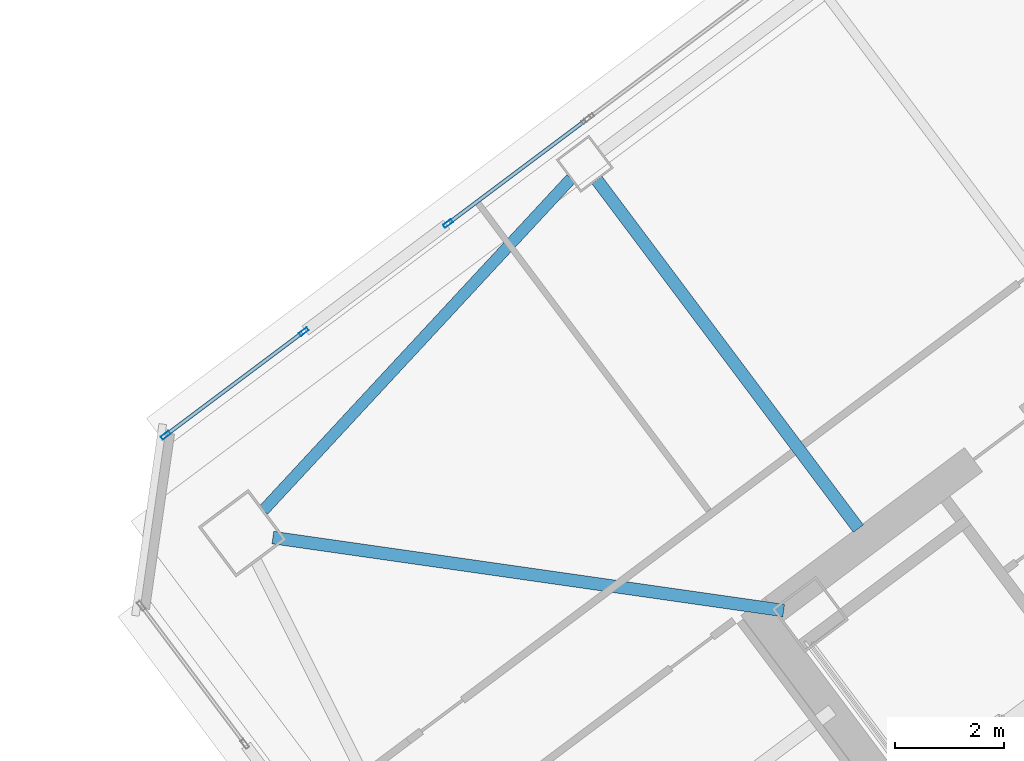
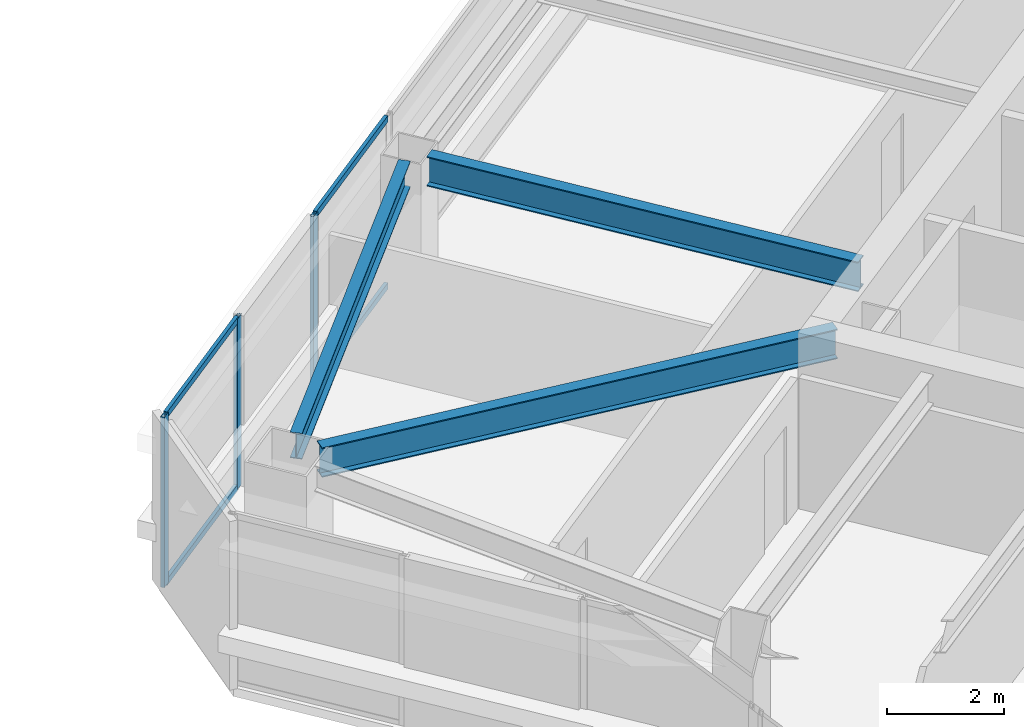
# One storey, part 23 of 46: 7 members, 3 beams, 2 elements without a shape of their own.
"""IFC4 building model written with IfcOpenShell, lengths in metres."""

from ifc_helpers import new_model, si_unit, direction, frame, origin, origin_2d, place, context, subcontext, project, spatial, hollow_rectangle, i_section, extrude, material, material_profile, profile_set, type_object, element, aggregate, save


model = new_model("IFC4")

# Units and contexts
model_context = context("Model", 3, precision=1e-05, world=origin(), true_north=direction((0.0, 1.0)))
body_context = subcontext(model_context, "Body", "Model", "MODEL_VIEW")
ifc_project = project(units=[si_unit("LENGTHUNIT", "METRE"), si_unit("AREAUNIT", "SQUARE_METRE"), si_unit("VOLUMEUNIT", "CUBIC_METRE"), si_unit("PLANEANGLEUNIT", "RADIAN"), si_unit("MASSUNIT", "GRAM", prefix="KILO")], contexts=[model_context])

# Site, building, storey
site_placement = place(None, origin())
site = spatial("IfcSite", under=ifc_project, at=site_placement, CompositionType="ELEMENT")
building_placement = place(site_placement, origin())
building = spatial("IfcBuilding", under=site, at=building_placement, Name="Tashvorn Skyway Center", CompositionType="ELEMENT")
storey_placement = place(building_placement, frame((0.0, 0.0, 167.64990234375)))
storey = spatial("IfcBuildingStorey", under=building, at=storey_placement, Name="L45", CompositionType="ELEMENT", Elevation=167.64990234375)

# Beams
ifc_material_1 = material(Name="Steel ASTM A992 Grade 50", Category="steel")
ifc_material_profile_1 = material_profile(ifc_material_1, i_section(OverallWidth=0.22998046875, OverallDepth=0.616943359375, WebThickness=0.01318359375, FlangeThickness=0.022216796875, at=origin_2d()), Name="W24X94")
ifc_profile_set_1 = profile_set([ifc_material_profile_1], Name="Steel ASTM A992 Grade 50")
beam_type_1 = type_object("IfcBeamType", Name="BM-BEAM-W24X94", PredefinedType="BEAM", material=ifc_profile_set_1)
beam_1_placement = place(storey_placement, frame((94.26416015625, 34.8193359375, 3.0615234375), z_axis=(0.989950009213, -0.141417747326, 0.0), x_axis=(0.141417747326, 0.989950009213, 0.0)))
element("IfcBeam", 1, at=beam_1_placement, inside=storey, type_object=beam_type_1, Name="Tower 2 L45 Primary Floor Girder MC-NW", PredefinedType="BEAM", context=body_context, shape_type="SweptSolid", body=[
    extrude(i_section(OverallWidth=0.22998046875, OverallDepth=0.616943359375, WebThickness=0.01318359375, FlangeThickness=0.022216796875, at=origin_2d()), origin(), (0.0, 0.0, 1.0), 9.470947265625),
])
beam_2_placement = place(storey_placement, frame((100.2119140625, 41.384033203125, 3.0615234375), z_axis=(0.599995117266, -0.800003662027, 0.0), x_axis=(0.800003662027, 0.599995117266, 0.0)))
element("IfcBeam", 2, at=beam_2_placement, inside=storey, type_object=beam_type_1, Name="Tower 2 L45 Primary Floor Girder FC-N2", PredefinedType="BEAM", context=body_context, shape_type="SweptSolid", body=[
    extrude(i_section(OverallWidth=0.22998046875, OverallDepth=0.616943359375, WebThickness=0.01318359375, FlangeThickness=0.022216796875, at=origin_2d()), origin(), (0.0, 0.0, 1.0), 8.000244140625),
])
ifc_material_profile_2 = material_profile(ifc_material_1, i_section(OverallWidth=0.2109375, OverallDepth=0.5390625, WebThickness=0.01171875, FlangeThickness=0.018798828125, at=origin_2d()), Name="W21X73")
ifc_profile_set_2 = profile_set([ifc_material_profile_2], Name="Steel ASTM A992 Grade 50")
beam_type_2 = type_object("IfcBeamType", Name="BM-SPANDREL-W21X73", PredefinedType="SPANDREL", material=ifc_profile_set_2)
beam_3_placement = place(storey_placement, frame((99.73828125, 41.40869140625, 3.1005859375), z_axis=(-0.680119661736, -0.733101115618, 0.0), x_axis=(0.733101115618, -0.680119661736, 0.0)))
element("IfcBeam", 3, at=beam_3_placement, inside=storey, type_object=beam_type_2, Name="Tower 2 L45 Spandrel Beam 09", PredefinedType="SPANDREL", context=body_context, shape_type="SweptSolid", body=[
    extrude(i_section(OverallWidth=0.2109375, OverallDepth=0.5390625, WebThickness=0.01171875, FlangeThickness=0.018798828125, at=origin_2d()), origin(), (0.0, 0.0, 1.0), 8.308349609375),
])

# Curtain wall, members
ifc_material_2 = material(Name="Thermally broken bronze-anodized aluminium 6063-T6", Category="aluminium")
curtain_wall_type = type_object("IfcCurtainWallType", Name="CW-CW-Z4", PredefinedType="NOTDEFINED", material=ifc_material_2)
curtain_wall_1_placement = place(storey_placement, origin())
curtain_wall_1 = element("IfcCurtainWall", 4, at=curtain_wall_1_placement, inside=storey, type_object=curtain_wall_type, Name="Tower 2 L45 North Unitised Curtain Wall Glazing Group 1", PredefinedType="NOTDEFINED")
ifc_material_profile_3 = material_profile(ifc_material_2, hollow_rectangle(XDim=0.070068359375, YDim=0.179931640625, WallThickness=0.00390625, at=origin_2d()), Name="ALU-MULL-70x180")
ifc_profile_set_3 = profile_set([ifc_material_profile_3], Name="Thermally broken bronze-anodized aluminium 6063-T6")
member_type_1 = type_object("IfcMemberType", Name="CWM-CW-Z4", PredefinedType="MULLION", material=ifc_profile_set_3)
member_1_placement = place(storey_placement, frame((92.2958984375, 36.697021484375, 0.0), z_axis=(0.0, 0.0, 1.0), x_axis=(-0.600000000002, 0.799999999998, 0.0)))
member_1 = element("IfcMember", 5, at=member_1_placement, type_object=member_type_1, Name="CW-Z4 mullion 1", PredefinedType="MULLION", context=body_context, shape_type="SweptSolid", body=[
    extrude(hollow_rectangle(XDim=0.070068359375, YDim=0.179931640625, WallThickness=0.00390625, at=origin_2d()), origin(), (0.0, 0.0, 1.0), 3.550048828125),
])
member_2_placement = place(storey_placement, frame((94.83203125, 38.59912109375, 0.0), z_axis=(0.0, 0.0, 1.0), x_axis=(-0.600000000002, 0.799999999998, 0.0)))
member_2 = element("IfcMember", 6, at=member_2_placement, type_object=member_type_1, Name="CW-Z4 mullion 2", PredefinedType="MULLION", context=body_context, shape_type="SweptSolid", body=[
    extrude(hollow_rectangle(XDim=0.070068359375, YDim=0.179931640625, WallThickness=0.00390625, at=origin_2d()), origin(), (0.0, 0.0, 1.0), 3.550048828125),
])

# Curtain wall, member
curtain_wall_2_placement = place(storey_placement, origin())
curtain_wall_2 = element("IfcCurtainWall", 7, at=curtain_wall_2_placement, inside=storey, type_object=curtain_wall_type, Name="Tower 2 L45 North Unitised Curtain Wall Glazing Group 2", PredefinedType="NOTDEFINED")
member_3_placement = place(storey_placement, frame((97.47998046875, 40.5849609375, 0.0), z_axis=(0.0, 0.0, 1.0), x_axis=(-0.600000000002, 0.799999999998, 0.0)))
member_3 = element("IfcMember", 8, at=member_3_placement, type_object=member_type_1, Name="CW-Z4 mullion 1", PredefinedType="MULLION", context=body_context, shape_type="SweptSolid", body=[
    extrude(hollow_rectangle(XDim=0.070068359375, YDim=0.179931640625, WallThickness=0.00390625, at=origin_2d()), origin(), (0.0, 0.0, 1.0), 3.550048828125),
])

# Member
ifc_material_profile_4 = material_profile(ifc_material_2, hollow_rectangle(XDim=0.070068359375, YDim=0.1298828125, WallThickness=0.00390625, at=origin_2d()), Name="ALU-TRAN-70x130")
ifc_profile_set_4 = profile_set([ifc_material_profile_4], Name="Thermally broken bronze-anodized aluminium 6063-T6")
member_type_2 = type_object("IfcMemberType", Name="CWT-CW-Z4", PredefinedType="USERDEFINED", material=ifc_profile_set_4)
member_4_placement = place(storey_placement, frame((92.323974609375, 36.718017578125, 0.03515625), z_axis=(0.800018901408, 0.599974797295, 0.0), x_axis=(-0.599974797295, 0.800018901408, 0.0)))
member_4 = element("IfcMember", 9, at=member_4_placement, type_object=member_type_2, Name="CW-Z4 transom 1.1", ObjectType="TRANSOM", PredefinedType="USERDEFINED", context=body_context, shape_type="SweptSolid", body=[
    extrude(hollow_rectangle(XDim=0.070068359375, YDim=0.1298828125, WallThickness=0.00390625, at=origin_2d()), origin(), (0.0, 0.0, 1.0), 3.099853515625),
])

member_5_placement = place(storey_placement, frame((92.323974609375, 36.718017578125, 3.51513671875), z_axis=(0.800018901408, 0.599974797295, 0.0), x_axis=(-0.599974797295, 0.800018901408, 0.0)))
member_5 = element("IfcMember", 10, at=member_5_placement, type_object=member_type_2, Name="CW-Z4 transom 1.2", ObjectType="TRANSOM", PredefinedType="USERDEFINED", context=body_context, shape_type="SweptSolid", body=[
    extrude(hollow_rectangle(XDim=0.070068359375, YDim=0.1298828125, WallThickness=0.00390625, at=origin_2d()), origin(), (0.0, 0.0, 1.0), 3.099853515625),
])

aggregate(curtain_wall_1, [member_1, member_2, member_4, member_5])

member_6_placement = place(storey_placement, frame((97.508056640625, 40.60595703125, 0.03515625), z_axis=(0.799981098691, 0.600025200918, 0.0), x_axis=(-0.600025200918, 0.799981098691, 0.0)))
member_6 = element("IfcMember", 11, at=member_6_placement, type_object=member_type_2, Name="CW-Z4 transom 1.1", ObjectType="TRANSOM", PredefinedType="USERDEFINED", context=body_context, shape_type="SweptSolid", body=[
    extrude(hollow_rectangle(XDim=0.070068359375, YDim=0.1298828125, WallThickness=0.00390625, at=origin_2d()), origin(), (0.0, 0.0, 1.0), 3.10009765625),
])

member_7_placement = place(storey_placement, frame((97.508056640625, 40.60595703125, 3.51513671875), z_axis=(0.799981098691, 0.600025200918, 0.0), x_axis=(-0.600025200918, 0.799981098691, 0.0)))
member_7 = element("IfcMember", 12, at=member_7_placement, type_object=member_type_2, Name="CW-Z4 transom 1.2", ObjectType="TRANSOM", PredefinedType="USERDEFINED", context=body_context, shape_type="SweptSolid", body=[
    extrude(hollow_rectangle(XDim=0.070068359375, YDim=0.1298828125, WallThickness=0.00390625, at=origin_2d()), origin(), (0.0, 0.0, 1.0), 3.10009765625),
])

aggregate(curtain_wall_2, [member_3, member_6, member_7])

save(model, "model.ifc")
